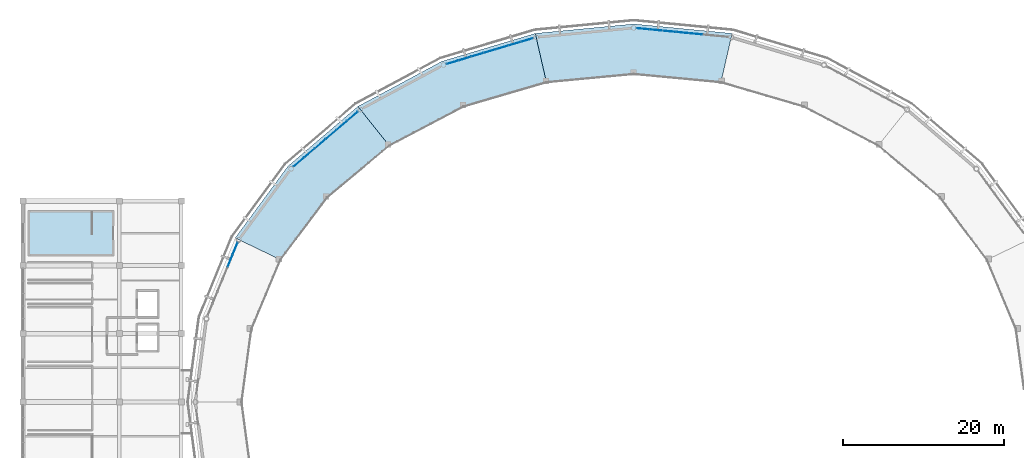
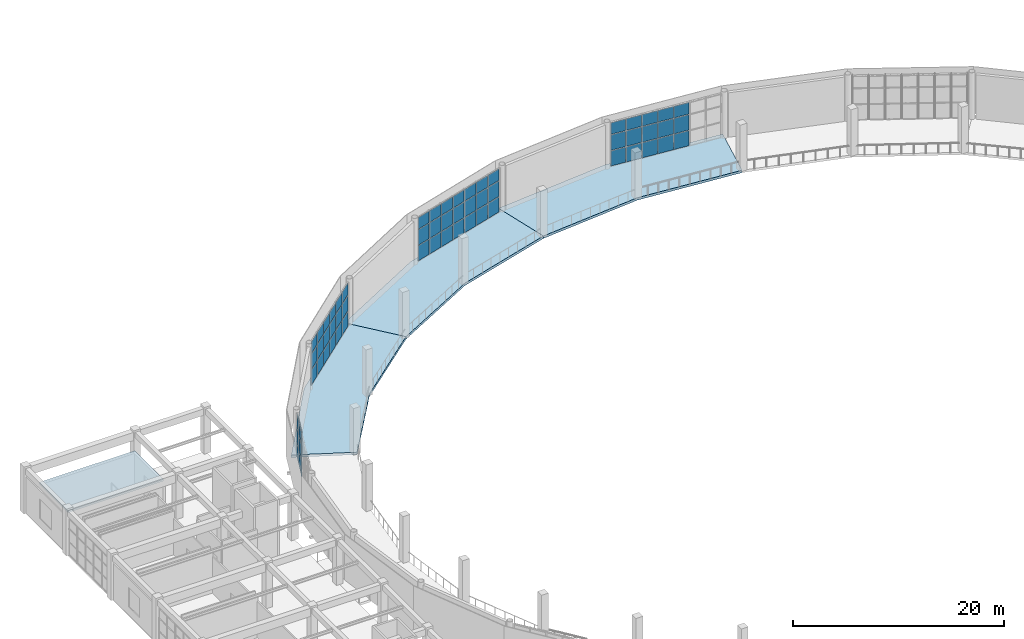
# One storey, part 27 of 40: 60 plates, 4 slabs, 4 elements without a shape of their own.
"""IFC4 building model written with IfcOpenShell, lengths in metres."""

from ifc_helpers import new_model, si_unit, direction, frame, origin, origin_2d, place, context, subcontext, project, spatial, polyline, rectangle, outline, extrude, material, layer, layer_set, type_object, element, aggregate, save


model = new_model("IFC4")

# Units and contexts
model_context = context("Model", 3, precision=1e-05, world=origin(), true_north=direction((0.0, 1.0)))
body_context = subcontext(model_context, "Body", "Model", "MODEL_VIEW")
ifc_project = project(units=[si_unit("LENGTHUNIT", "METRE"), si_unit("AREAUNIT", "SQUARE_METRE"), si_unit("VOLUMEUNIT", "CUBIC_METRE"), si_unit("PLANEANGLEUNIT", "RADIAN"), si_unit("MASSUNIT", "GRAM", prefix="KILO")], contexts=[model_context])

# Site, building, storey
site_placement = place(None, origin())
site = spatial("IfcSite", under=ifc_project, at=site_placement, CompositionType="ELEMENT")
building_placement = place(site_placement, origin())
building = spatial("IfcBuilding", under=site, at=building_placement, Name="Cuetzalor Civic Arena", CompositionType="ELEMENT")
storey_placement = place(building_placement, frame((0.0, 0.0, 26.39990234375)))
storey = spatial("IfcBuildingStorey", under=building, at=storey_placement, Name="L05", CompositionType="ELEMENT", Elevation=26.39990234375)

# Curtain wall, plates
ifc_material_1 = material(Name="Anodised dark bronze aluminium and low-E solar glass", Category="aluminium")
curtain_wall_type_1 = type_object("IfcCurtainWallType", Name="UnitisedCW_11550x5150", PredefinedType="USERDEFINED", material=ifc_material_1)
curtain_wall_1_placement = place(storey_placement, origin())
curtain_wall_1 = element("IfcCurtainWall", 1, at=curtain_wall_1_placement, inside=storey, type_object=curtain_wall_type_1, Name="Drum Triangle Foyer Curtain Wall L05-071", ObjectType="UNITISED CURTAIN WALL", PredefinedType="USERDEFINED")
ifc_material_2 = material(Name="Acoustic laminated solar control glass", Category="glass")
ifc_layer_1 = layer(ifc_material_2, 0.0439453125)
ifc_layer_set_1 = layer_set([ifc_layer_1], Name="Acoustic laminated solar control glass")
plate_type = type_object("IfcPlateType", Name="AcousticTripleGlazedPanel_44", PredefinedType="CURTAIN_PANEL", material=ifc_layer_set_1)
plate_1_placement = place(storey_placement, frame((1.153076171875, 46.439208984375, 0.0703125), z_axis=(0.0, 0.0, 1.0), x_axis=(0.995409139996, -0.095711253324, 0.0)))
plate_1 = element("IfcPlate", 2, at=plate_1_placement, type_object=plate_type, Name="CW-20 panel 1.1", PredefinedType="CURTAIN_PANEL", context=body_context, shape_type="SweptSolid", body=[
    extrude(rectangle(XDim=1.547119140625, YDim=0.0439453125, at=origin_2d()), origin(), (0.0, 0.0, 1.0), 1.743896484375),
])
plate_2_placement = place(storey_placement, frame((1.153076171875, 46.439208984375, 1.88427734375), z_axis=(0.0, 0.0, 1.0), x_axis=(0.995409139996, -0.095711253324, 0.0)))
plate_2 = element("IfcPlate", 3, at=plate_2_placement, type_object=plate_type, Name="CW-20 panel 1.2", PredefinedType="CURTAIN_PANEL", context=body_context, shape_type="SweptSolid", body=[
    extrude(rectangle(XDim=1.547119140625, YDim=0.0439453125, at=origin_2d()), origin(), (0.0, 0.0, 1.0), 1.779052734375),
])
plate_3_placement = place(storey_placement, frame((1.153076171875, 46.439208984375, 3.733154296875), z_axis=(0.0, 0.0, 1.0), x_axis=(0.995409139996, -0.095711253324, 0.0)))
plate_3 = element("IfcPlate", 4, at=plate_3_placement, type_object=plate_type, Name="CW-20 panel 1.3", PredefinedType="CURTAIN_PANEL", context=body_context, shape_type="SweptSolid", body=[
    extrude(rectangle(XDim=1.547119140625, YDim=0.0439453125, at=origin_2d()), origin(), (0.0, 0.0, 1.0), 1.3330078125),
])
plate_4_placement = place(storey_placement, frame((2.780029296875, 46.28271484375, 0.0703125), z_axis=(0.0, 0.0, 1.0), x_axis=(0.995409139996, -0.095711253324, 0.0)))
plate_4 = element("IfcPlate", 5, at=plate_4_placement, type_object=plate_type, Name="CW-20 panel 2.1", PredefinedType="CURTAIN_PANEL", context=body_context, shape_type="SweptSolid", body=[
    extrude(rectangle(XDim=1.58203125, YDim=0.0439453125, at=origin_2d()), origin(), (0.0, 0.0, 1.0), 1.743896484375),
])
plate_5_placement = place(storey_placement, frame((2.780029296875, 46.28271484375, 1.88427734375), z_axis=(0.0, 0.0, 1.0), x_axis=(0.995409139996, -0.095711253324, 0.0)))
plate_5 = element("IfcPlate", 6, at=plate_5_placement, type_object=plate_type, Name="CW-20 panel 2.2", PredefinedType="CURTAIN_PANEL", context=body_context, shape_type="SweptSolid", body=[
    extrude(rectangle(XDim=1.58203125, YDim=0.0439453125, at=origin_2d()), origin(), (0.0, 0.0, 1.0), 1.779052734375),
])
plate_6_placement = place(storey_placement, frame((2.780029296875, 46.28271484375, 3.733154296875), z_axis=(0.0, 0.0, 1.0), x_axis=(0.995409139996, -0.095711253324, 0.0)))
plate_6 = element("IfcPlate", 7, at=plate_6_placement, type_object=plate_type, Name="CW-20 panel 2.3", PredefinedType="CURTAIN_PANEL", context=body_context, shape_type="SweptSolid", body=[
    extrude(rectangle(XDim=1.58203125, YDim=0.0439453125, at=origin_2d()), origin(), (0.0, 0.0, 1.0), 1.3330078125),
])
plate_7_placement = place(storey_placement, frame((4.4248046875, 46.12451171875, 0.0703125), z_axis=(0.0, 0.0, 1.0), x_axis=(0.995409139996, -0.095711253324, 0.0)))
plate_7 = element("IfcPlate", 8, at=plate_7_placement, type_object=plate_type, Name="CW-20 panel 3.1", PredefinedType="CURTAIN_PANEL", context=body_context, shape_type="SweptSolid", body=[
    extrude(rectangle(XDim=1.58203125, YDim=0.0439453125, at=origin_2d()), origin(), (0.0, 0.0, 1.0), 1.743896484375),
])
plate_8_placement = place(storey_placement, frame((4.4248046875, 46.12451171875, 1.88427734375), z_axis=(0.0, 0.0, 1.0), x_axis=(0.995409139996, -0.095711253324, 0.0)))
plate_8 = element("IfcPlate", 9, at=plate_8_placement, type_object=plate_type, Name="CW-20 panel 3.2", PredefinedType="CURTAIN_PANEL", context=body_context, shape_type="SweptSolid", body=[
    extrude(rectangle(XDim=1.58203125, YDim=0.0439453125, at=origin_2d()), origin(), (0.0, 0.0, 1.0), 1.779052734375),
])
plate_9_placement = place(storey_placement, frame((4.4248046875, 46.12451171875, 3.733154296875), z_axis=(0.0, 0.0, 1.0), x_axis=(0.995409139996, -0.095711253324, 0.0)))
plate_9 = element("IfcPlate", 10, at=plate_9_placement, type_object=plate_type, Name="CW-20 panel 3.3", PredefinedType="CURTAIN_PANEL", context=body_context, shape_type="SweptSolid", body=[
    extrude(rectangle(XDim=1.58203125, YDim=0.0439453125, at=origin_2d()), origin(), (0.0, 0.0, 1.0), 1.3330078125),
])
plate_10_placement = place(storey_placement, frame((6.0693359375, 45.966552734375, 0.0703125), z_axis=(0.0, 0.0, 1.0), x_axis=(0.995409139996, -0.095711253324, 0.0)))
plate_10 = element("IfcPlate", 11, at=plate_10_placement, type_object=plate_type, Name="CW-20 panel 4.1", PredefinedType="CURTAIN_PANEL", context=body_context, shape_type="SweptSolid", body=[
    extrude(rectangle(XDim=1.58203125, YDim=0.0439453125, at=origin_2d()), origin(), (0.0, 0.0, 1.0), 1.743896484375),
])
plate_11_placement = place(storey_placement, frame((6.0693359375, 45.966552734375, 1.88427734375), z_axis=(0.0, 0.0, 1.0), x_axis=(0.995409139996, -0.095711253324, 0.0)))
plate_11 = element("IfcPlate", 12, at=plate_11_placement, type_object=plate_type, Name="CW-20 panel 4.2", PredefinedType="CURTAIN_PANEL", context=body_context, shape_type="SweptSolid", body=[
    extrude(rectangle(XDim=1.58203125, YDim=0.0439453125, at=origin_2d()), origin(), (0.0, 0.0, 1.0), 1.779052734375),
])
plate_12_placement = place(storey_placement, frame((6.0693359375, 45.966552734375, 3.733154296875), z_axis=(0.0, 0.0, 1.0), x_axis=(0.995409139996, -0.095711253324, 0.0)))
plate_12 = element("IfcPlate", 13, at=plate_12_placement, type_object=plate_type, Name="CW-20 panel 4.3", PredefinedType="CURTAIN_PANEL", context=body_context, shape_type="SweptSolid", body=[
    extrude(rectangle(XDim=1.58203125, YDim=0.0439453125, at=origin_2d()), origin(), (0.0, 0.0, 1.0), 1.3330078125),
])
plate_13_placement = place(storey_placement, frame((7.7138671875, 45.808349609375, 0.0703125), z_axis=(0.0, 0.0, 1.0), x_axis=(0.995409139996, -0.095711253324, 0.0)))
plate_13 = element("IfcPlate", 14, at=plate_13_placement, type_object=plate_type, Name="CW-20 panel 5.1", PredefinedType="CURTAIN_PANEL", context=body_context, shape_type="SweptSolid", body=[
    extrude(rectangle(XDim=1.58203125, YDim=0.0439453125, at=origin_2d()), origin(), (0.0, 0.0, 1.0), 1.743896484375),
])
plate_14_placement = place(storey_placement, frame((7.7138671875, 45.808349609375, 1.88427734375), z_axis=(0.0, 0.0, 1.0), x_axis=(0.995409139996, -0.095711253324, 0.0)))
plate_14 = element("IfcPlate", 15, at=plate_14_placement, type_object=plate_type, Name="CW-20 panel 5.2", PredefinedType="CURTAIN_PANEL", context=body_context, shape_type="SweptSolid", body=[
    extrude(rectangle(XDim=1.58203125, YDim=0.0439453125, at=origin_2d()), origin(), (0.0, 0.0, 1.0), 1.779052734375),
])
plate_15_placement = place(storey_placement, frame((7.7138671875, 45.808349609375, 3.733154296875), z_axis=(0.0, 0.0, 1.0), x_axis=(0.995409139996, -0.095711253324, 0.0)))
plate_15 = element("IfcPlate", 16, at=plate_15_placement, type_object=plate_type, Name="CW-20 panel 5.3", PredefinedType="CURTAIN_PANEL", context=body_context, shape_type="SweptSolid", body=[
    extrude(rectangle(XDim=1.58203125, YDim=0.0439453125, at=origin_2d()), origin(), (0.0, 0.0, 1.0), 1.3330078125),
])
aggregate(curtain_wall_1, [plate_1, plate_2, plate_3, plate_4, plate_5, plate_6, plate_7, plate_8, plate_9, plate_10, plate_11, plate_12, plate_13, plate_14, plate_15])

ifc_material_3 = material(Name="Anodised dark bronze aluminium and low-E solar glass", Category="aluminium")
curtain_wall_type_2 = type_object("IfcCurtainWallType", Name="UnitisedCW_11300x5150", PredefinedType="USERDEFINED", material=ifc_material_3)
curtain_wall_2_placement = place(storey_placement, origin())
curtain_wall_2 = element("IfcCurtainWall", 17, at=curtain_wall_2_placement, inside=storey, type_object=curtain_wall_type_2, Name="Drum Triangle Foyer Curtain Wall L05-072", ObjectType="UNITISED CURTAIN WALL", PredefinedType="USERDEFINED")
plate_16_placement = place(storey_placement, frame((-22.53125, 42.279541015625, 0.0703125), z_axis=(0.0, 0.0, 1.0), x_axis=(0.958193690548, 0.286120344251, 0.0)))
plate_16 = element("IfcPlate", 18, at=plate_16_placement, type_object=plate_type, Name="CW-21 panel 1.1", PredefinedType="CURTAIN_PANEL", context=body_context, shape_type="SweptSolid", body=[
    extrude(rectangle(XDim=1.5107421875, YDim=0.0439453125, at=origin_2d()), origin(), (0.0, 0.0, 1.0), 1.743896484375),
])
plate_17_placement = place(storey_placement, frame((-22.53125, 42.279541015625, 1.88427734375), z_axis=(0.0, 0.0, 1.0), x_axis=(0.958193690548, 0.286120344251, 0.0)))
plate_17 = element("IfcPlate", 19, at=plate_17_placement, type_object=plate_type, Name="CW-21 panel 1.2", PredefinedType="CURTAIN_PANEL", context=body_context, shape_type="SweptSolid", body=[
    extrude(rectangle(XDim=1.5107421875, YDim=0.0439453125, at=origin_2d()), origin(), (0.0, 0.0, 1.0), 1.779052734375),
])
plate_18_placement = place(storey_placement, frame((-22.53125, 42.279541015625, 3.733154296875), z_axis=(0.0, 0.0, 1.0), x_axis=(0.958193690548, 0.286120344251, 0.0)))
plate_18 = element("IfcPlate", 20, at=plate_18_placement, type_object=plate_type, Name="CW-21 panel 1.3", PredefinedType="CURTAIN_PANEL", context=body_context, shape_type="SweptSolid", body=[
    extrude(rectangle(XDim=1.5107421875, YDim=0.0439453125, at=origin_2d()), origin(), (0.0, 0.0, 1.0), 1.3330078125),
])
plate_19_placement = place(storey_placement, frame((-20.999755859375, 42.73681640625, 0.0703125), z_axis=(0.0, 0.0, 1.0), x_axis=(0.958193690548, 0.286120344251, 0.0)))
plate_19 = element("IfcPlate", 21, at=plate_19_placement, type_object=plate_type, Name="CW-21 panel 2.1", PredefinedType="CURTAIN_PANEL", context=body_context, shape_type="SweptSolid", body=[
    extrude(rectangle(XDim=1.545654296875, YDim=0.0439453125, at=origin_2d()), origin(), (0.0, 0.0, 1.0), 1.743896484375),
])
plate_20_placement = place(storey_placement, frame((-20.999755859375, 42.73681640625, 1.88427734375), z_axis=(0.0, 0.0, 1.0), x_axis=(0.958193690548, 0.286120344251, 0.0)))
plate_20 = element("IfcPlate", 22, at=plate_20_placement, type_object=plate_type, Name="CW-21 panel 2.2", PredefinedType="CURTAIN_PANEL", context=body_context, shape_type="SweptSolid", body=[
    extrude(rectangle(XDim=1.545654296875, YDim=0.0439453125, at=origin_2d()), origin(), (0.0, 0.0, 1.0), 1.779052734375),
])
plate_21_placement = place(storey_placement, frame((-20.999755859375, 42.73681640625, 3.733154296875), z_axis=(0.0, 0.0, 1.0), x_axis=(0.958193690548, 0.286120344251, 0.0)))
plate_21 = element("IfcPlate", 23, at=plate_21_placement, type_object=plate_type, Name="CW-21 panel 2.3", PredefinedType="CURTAIN_PANEL", context=body_context, shape_type="SweptSolid", body=[
    extrude(rectangle(XDim=1.545654296875, YDim=0.0439453125, at=origin_2d()), origin(), (0.0, 0.0, 1.0), 1.3330078125),
])
plate_22_placement = place(storey_placement, frame((-19.45166015625, 43.19921875, 0.0703125), z_axis=(0.0, 0.0, 1.0), x_axis=(0.958193690548, 0.286120344251, 0.0)))
plate_22 = element("IfcPlate", 24, at=plate_22_placement, type_object=plate_type, Name="CW-21 panel 3.1", PredefinedType="CURTAIN_PANEL", context=body_context, shape_type="SweptSolid", body=[
    extrude(rectangle(XDim=1.545654296875, YDim=0.0439453125, at=origin_2d()), origin(), (0.0, 0.0, 1.0), 1.743896484375),
])
plate_23_placement = place(storey_placement, frame((-19.45166015625, 43.19921875, 1.88427734375), z_axis=(0.0, 0.0, 1.0), x_axis=(0.958193690548, 0.286120344251, 0.0)))
plate_23 = element("IfcPlate", 25, at=plate_23_placement, type_object=plate_type, Name="CW-21 panel 3.2", PredefinedType="CURTAIN_PANEL", context=body_context, shape_type="SweptSolid", body=[
    extrude(rectangle(XDim=1.545654296875, YDim=0.0439453125, at=origin_2d()), origin(), (0.0, 0.0, 1.0), 1.779052734375),
])
plate_24_placement = place(storey_placement, frame((-19.45166015625, 43.19921875, 3.733154296875), z_axis=(0.0, 0.0, 1.0), x_axis=(0.958193690548, 0.286120344251, 0.0)))
plate_24 = element("IfcPlate", 26, at=plate_24_placement, type_object=plate_type, Name="CW-21 panel 3.3", PredefinedType="CURTAIN_PANEL", context=body_context, shape_type="SweptSolid", body=[
    extrude(rectangle(XDim=1.545654296875, YDim=0.0439453125, at=origin_2d()), origin(), (0.0, 0.0, 1.0), 1.3330078125),
])
plate_25_placement = place(storey_placement, frame((-17.903564453125, 43.66162109375, 0.0703125), z_axis=(0.0, 0.0, 1.0), x_axis=(0.958193690548, 0.286120344251, 0.0)))
plate_25 = element("IfcPlate", 27, at=plate_25_placement, type_object=plate_type, Name="CW-21 panel 4.1", PredefinedType="CURTAIN_PANEL", context=body_context, shape_type="SweptSolid", body=[
    extrude(rectangle(XDim=1.545654296875, YDim=0.0439453125, at=origin_2d()), origin(), (0.0, 0.0, 1.0), 1.743896484375),
])
plate_26_placement = place(storey_placement, frame((-17.903564453125, 43.66162109375, 1.88427734375), z_axis=(0.0, 0.0, 1.0), x_axis=(0.958193690548, 0.286120344251, 0.0)))
plate_26 = element("IfcPlate", 28, at=plate_26_placement, type_object=plate_type, Name="CW-21 panel 4.2", PredefinedType="CURTAIN_PANEL", context=body_context, shape_type="SweptSolid", body=[
    extrude(rectangle(XDim=1.545654296875, YDim=0.0439453125, at=origin_2d()), origin(), (0.0, 0.0, 1.0), 1.779052734375),
])
plate_27_placement = place(storey_placement, frame((-17.903564453125, 43.66162109375, 3.733154296875), z_axis=(0.0, 0.0, 1.0), x_axis=(0.958193690548, 0.286120344251, 0.0)))
plate_27 = element("IfcPlate", 29, at=plate_27_placement, type_object=plate_type, Name="CW-21 panel 4.3", PredefinedType="CURTAIN_PANEL", context=body_context, shape_type="SweptSolid", body=[
    extrude(rectangle(XDim=1.545654296875, YDim=0.0439453125, at=origin_2d()), origin(), (0.0, 0.0, 1.0), 1.3330078125),
])
plate_28_placement = place(storey_placement, frame((-16.355224609375, 44.123779296875, 0.0703125), z_axis=(0.0, 0.0, 1.0), x_axis=(0.958193690548, 0.286120344251, 0.0)))
plate_28 = element("IfcPlate", 30, at=plate_28_placement, type_object=plate_type, Name="CW-21 panel 5.1", PredefinedType="CURTAIN_PANEL", context=body_context, shape_type="SweptSolid", body=[
    extrude(rectangle(XDim=1.545654296875, YDim=0.0439453125, at=origin_2d()), origin(), (0.0, 0.0, 1.0), 1.743896484375),
])
plate_29_placement = place(storey_placement, frame((-16.355224609375, 44.123779296875, 1.88427734375), z_axis=(0.0, 0.0, 1.0), x_axis=(0.958193690548, 0.286120344251, 0.0)))
plate_29 = element("IfcPlate", 31, at=plate_29_placement, type_object=plate_type, Name="CW-21 panel 5.2", PredefinedType="CURTAIN_PANEL", context=body_context, shape_type="SweptSolid", body=[
    extrude(rectangle(XDim=1.545654296875, YDim=0.0439453125, at=origin_2d()), origin(), (0.0, 0.0, 1.0), 1.779052734375),
])
plate_30_placement = place(storey_placement, frame((-16.355224609375, 44.123779296875, 3.733154296875), z_axis=(0.0, 0.0, 1.0), x_axis=(0.958193690548, 0.286120344251, 0.0)))
plate_30 = element("IfcPlate", 32, at=plate_30_placement, type_object=plate_type, Name="CW-21 panel 5.3", PredefinedType="CURTAIN_PANEL", context=body_context, shape_type="SweptSolid", body=[
    extrude(rectangle(XDim=1.545654296875, YDim=0.0439453125, at=origin_2d()), origin(), (0.0, 0.0, 1.0), 1.3330078125),
])
plate_31_placement = place(storey_placement, frame((-14.80712890625, 44.586181640625, 0.0703125), z_axis=(0.0, 0.0, 1.0), x_axis=(0.958193690548, 0.286120344251, 0.0)))
plate_31 = element("IfcPlate", 33, at=plate_31_placement, type_object=plate_type, Name="CW-21 panel 6.1", PredefinedType="CURTAIN_PANEL", context=body_context, shape_type="SweptSolid", body=[
    extrude(rectangle(XDim=1.545654296875, YDim=0.0439453125, at=origin_2d()), origin(), (0.0, 0.0, 1.0), 1.743896484375),
])
plate_32_placement = place(storey_placement, frame((-14.80712890625, 44.586181640625, 1.88427734375), z_axis=(0.0, 0.0, 1.0), x_axis=(0.958193690548, 0.286120344251, 0.0)))
plate_32 = element("IfcPlate", 34, at=plate_32_placement, type_object=plate_type, Name="CW-21 panel 6.2", PredefinedType="CURTAIN_PANEL", context=body_context, shape_type="SweptSolid", body=[
    extrude(rectangle(XDim=1.545654296875, YDim=0.0439453125, at=origin_2d()), origin(), (0.0, 0.0, 1.0), 1.779052734375),
])
plate_33_placement = place(storey_placement, frame((-14.80712890625, 44.586181640625, 3.733154296875), z_axis=(0.0, 0.0, 1.0), x_axis=(0.958193690548, 0.286120344251, 0.0)))
plate_33 = element("IfcPlate", 35, at=plate_33_placement, type_object=plate_type, Name="CW-21 panel 6.3", PredefinedType="CURTAIN_PANEL", context=body_context, shape_type="SweptSolid", body=[
    extrude(rectangle(XDim=1.545654296875, YDim=0.0439453125, at=origin_2d()), origin(), (0.0, 0.0, 1.0), 1.3330078125),
])
plate_34_placement = place(storey_placement, frame((-13.275634765625, 45.04345703125, 0.0703125), z_axis=(0.0, 0.0, 1.0), x_axis=(0.958193690548, 0.286120344251, 0.0)))
plate_34 = element("IfcPlate", 36, at=plate_34_placement, type_object=plate_type, Name="CW-21 panel 7.1", PredefinedType="CURTAIN_PANEL", context=body_context, shape_type="SweptSolid", body=[
    extrude(rectangle(XDim=1.5107421875, YDim=0.0439453125, at=origin_2d()), origin(), (0.0, 0.0, 1.0), 1.743896484375),
])
plate_35_placement = place(storey_placement, frame((-13.275634765625, 45.04345703125, 1.88427734375), z_axis=(0.0, 0.0, 1.0), x_axis=(0.958193690548, 0.286120344251, 0.0)))
plate_35 = element("IfcPlate", 37, at=plate_35_placement, type_object=plate_type, Name="CW-21 panel 7.2", PredefinedType="CURTAIN_PANEL", context=body_context, shape_type="SweptSolid", body=[
    extrude(rectangle(XDim=1.5107421875, YDim=0.0439453125, at=origin_2d()), origin(), (0.0, 0.0, 1.0), 1.779052734375),
])
plate_36_placement = place(storey_placement, frame((-13.275634765625, 45.04345703125, 3.733154296875), z_axis=(0.0, 0.0, 1.0), x_axis=(0.958193690548, 0.286120344251, 0.0)))
plate_36 = element("IfcPlate", 38, at=plate_36_placement, type_object=plate_type, Name="CW-21 panel 7.3", PredefinedType="CURTAIN_PANEL", context=body_context, shape_type="SweptSolid", body=[
    extrude(rectangle(XDim=1.5107421875, YDim=0.0439453125, at=origin_2d()), origin(), (0.0, 0.0, 1.0), 1.3330078125),
])
aggregate(curtain_wall_2, [plate_16, plate_17, plate_18, plate_19, plate_20, plate_21, plate_22, plate_23, plate_24, plate_25, plate_26, plate_27, plate_28, plate_29, plate_30, plate_31, plate_32, plate_33, plate_34, plate_35, plate_36])

ifc_material_4 = material(Name="Anodised dark bronze aluminium and low-E solar glass", Category="aluminium")
curtain_wall_type_3 = type_object("IfcCurtainWallType", Name="UnitisedCW_10550x5150", PredefinedType="USERDEFINED", material=ifc_material_4)
curtain_wall_3_placement = place(storey_placement, origin())
curtain_wall_3 = element("IfcCurtainWall", 39, at=curtain_wall_3_placement, inside=storey, type_object=curtain_wall_type_3, Name="Drum Triangle Foyer Curtain Wall L05-073", ObjectType="UNITISED CURTAIN WALL", PredefinedType="USERDEFINED")
plate_37_placement = place(storey_placement, frame((-41.654541015625, 29.871826171875, 0.0703125), z_axis=(0.0, 0.0, 1.0), x_axis=(0.760677142663, 0.64913040649, 0.0)))
plate_37 = element("IfcPlate", 40, at=plate_37_placement, type_object=plate_type, Name="CW-22 panel 1.1", PredefinedType="CURTAIN_PANEL", context=body_context, shape_type="SweptSolid", body=[
    extrude(rectangle(XDim=1.650146484375, YDim=0.0439453125, at=origin_2d()), origin(), (0.0, 0.0, 1.0), 1.743896484375),
])
plate_38_placement = place(storey_placement, frame((-41.654541015625, 29.871826171875, 1.88427734375), z_axis=(0.0, 0.0, 1.0), x_axis=(0.760677142663, 0.64913040649, 0.0)))
plate_38 = element("IfcPlate", 41, at=plate_38_placement, type_object=plate_type, Name="CW-22 panel 1.2", PredefinedType="CURTAIN_PANEL", context=body_context, shape_type="SweptSolid", body=[
    extrude(rectangle(XDim=1.650146484375, YDim=0.0439453125, at=origin_2d()), origin(), (0.0, 0.0, 1.0), 1.779052734375),
])
plate_39_placement = place(storey_placement, frame((-41.654541015625, 29.871826171875, 3.733154296875), z_axis=(0.0, 0.0, 1.0), x_axis=(0.760677142663, 0.64913040649, 0.0)))
plate_39 = element("IfcPlate", 42, at=plate_39_placement, type_object=plate_type, Name="CW-22 panel 1.3", PredefinedType="CURTAIN_PANEL", context=body_context, shape_type="SweptSolid", body=[
    extrude(rectangle(XDim=1.650146484375, YDim=0.0439453125, at=origin_2d()), origin(), (0.0, 0.0, 1.0), 1.3330078125),
])
plate_40_placement = place(storey_placement, frame((-40.332763671875, 31.0, 0.0703125), z_axis=(0.0, 0.0, 1.0), x_axis=(0.760677142663, 0.64913040649, 0.0)))
plate_40 = element("IfcPlate", 43, at=plate_40_placement, type_object=plate_type, Name="CW-22 panel 2.1", PredefinedType="CURTAIN_PANEL", context=body_context, shape_type="SweptSolid", body=[
    extrude(rectangle(XDim=1.68505859375, YDim=0.0439453125, at=origin_2d()), origin(), (0.0, 0.0, 1.0), 1.743896484375),
])
plate_41_placement = place(storey_placement, frame((-40.332763671875, 31.0, 1.88427734375), z_axis=(0.0, 0.0, 1.0), x_axis=(0.760677142663, 0.64913040649, 0.0)))
plate_41 = element("IfcPlate", 44, at=plate_41_placement, type_object=plate_type, Name="CW-22 panel 2.2", PredefinedType="CURTAIN_PANEL", context=body_context, shape_type="SweptSolid", body=[
    extrude(rectangle(XDim=1.68505859375, YDim=0.0439453125, at=origin_2d()), origin(), (0.0, 0.0, 1.0), 1.779052734375),
])
plate_42_placement = place(storey_placement, frame((-40.332763671875, 31.0, 3.733154296875), z_axis=(0.0, 0.0, 1.0), x_axis=(0.760677142663, 0.64913040649, 0.0)))
plate_42 = element("IfcPlate", 45, at=plate_42_placement, type_object=plate_type, Name="CW-22 panel 2.3", PredefinedType="CURTAIN_PANEL", context=body_context, shape_type="SweptSolid", body=[
    extrude(rectangle(XDim=1.68505859375, YDim=0.0439453125, at=origin_2d()), origin(), (0.0, 0.0, 1.0), 1.3330078125),
])
plate_43_placement = place(storey_placement, frame((-38.997802734375, 32.13916015625, 0.0703125), z_axis=(0.0, 0.0, 1.0), x_axis=(0.760677142663, 0.64913040649, 0.0)))
plate_43 = element("IfcPlate", 46, at=plate_43_placement, type_object=plate_type, Name="CW-22 panel 3.1", PredefinedType="CURTAIN_PANEL", context=body_context, shape_type="SweptSolid", body=[
    extrude(rectangle(XDim=1.68505859375, YDim=0.0439453125, at=origin_2d()), origin(), (0.0, 0.0, 1.0), 1.743896484375),
])
plate_44_placement = place(storey_placement, frame((-38.997802734375, 32.13916015625, 1.88427734375), z_axis=(0.0, 0.0, 1.0), x_axis=(0.760677142663, 0.64913040649, 0.0)))
plate_44 = element("IfcPlate", 47, at=plate_44_placement, type_object=plate_type, Name="CW-22 panel 3.2", PredefinedType="CURTAIN_PANEL", context=body_context, shape_type="SweptSolid", body=[
    extrude(rectangle(XDim=1.68505859375, YDim=0.0439453125, at=origin_2d()), origin(), (0.0, 0.0, 1.0), 1.779052734375),
])
plate_45_placement = place(storey_placement, frame((-38.997802734375, 32.13916015625, 3.733154296875), z_axis=(0.0, 0.0, 1.0), x_axis=(0.760677142663, 0.64913040649, 0.0)))
plate_45 = element("IfcPlate", 48, at=plate_45_placement, type_object=plate_type, Name="CW-22 panel 3.3", PredefinedType="CURTAIN_PANEL", context=body_context, shape_type="SweptSolid", body=[
    extrude(rectangle(XDim=1.68505859375, YDim=0.0439453125, at=origin_2d()), origin(), (0.0, 0.0, 1.0), 1.3330078125),
])
plate_46_placement = place(storey_placement, frame((-37.66259765625, 33.278564453125, 0.0703125), z_axis=(0.0, 0.0, 1.0), x_axis=(0.760677142663, 0.64913040649, 0.0)))
plate_46 = element("IfcPlate", 49, at=plate_46_placement, type_object=plate_type, Name="CW-22 panel 4.1", PredefinedType="CURTAIN_PANEL", context=body_context, shape_type="SweptSolid", body=[
    extrude(rectangle(XDim=1.68505859375, YDim=0.0439453125, at=origin_2d()), origin(), (0.0, 0.0, 1.0), 1.743896484375),
])
plate_47_placement = place(storey_placement, frame((-37.66259765625, 33.278564453125, 1.88427734375), z_axis=(0.0, 0.0, 1.0), x_axis=(0.760677142663, 0.64913040649, 0.0)))
plate_47 = element("IfcPlate", 50, at=plate_47_placement, type_object=plate_type, Name="CW-22 panel 4.2", PredefinedType="CURTAIN_PANEL", context=body_context, shape_type="SweptSolid", body=[
    extrude(rectangle(XDim=1.68505859375, YDim=0.0439453125, at=origin_2d()), origin(), (0.0, 0.0, 1.0), 1.779052734375),
])
plate_48_placement = place(storey_placement, frame((-37.66259765625, 33.278564453125, 3.733154296875), z_axis=(0.0, 0.0, 1.0), x_axis=(0.760677142663, 0.64913040649, 0.0)))
plate_48 = element("IfcPlate", 51, at=plate_48_placement, type_object=plate_type, Name="CW-22 panel 4.3", PredefinedType="CURTAIN_PANEL", context=body_context, shape_type="SweptSolid", body=[
    extrude(rectangle(XDim=1.68505859375, YDim=0.0439453125, at=origin_2d()), origin(), (0.0, 0.0, 1.0), 1.3330078125),
])
plate_49_placement = place(storey_placement, frame((-36.327392578125, 34.41796875, 0.0703125), z_axis=(0.0, 0.0, 1.0), x_axis=(0.760677142663, 0.64913040649, 0.0)))
plate_49 = element("IfcPlate", 52, at=plate_49_placement, type_object=plate_type, Name="CW-22 panel 5.1", PredefinedType="CURTAIN_PANEL", context=body_context, shape_type="SweptSolid", body=[
    extrude(rectangle(XDim=1.68505859375, YDim=0.0439453125, at=origin_2d()), origin(), (0.0, 0.0, 1.0), 1.743896484375),
])
plate_50_placement = place(storey_placement, frame((-36.327392578125, 34.41796875, 1.88427734375), z_axis=(0.0, 0.0, 1.0), x_axis=(0.760677142663, 0.64913040649, 0.0)))
plate_50 = element("IfcPlate", 53, at=plate_50_placement, type_object=plate_type, Name="CW-22 panel 5.2", PredefinedType="CURTAIN_PANEL", context=body_context, shape_type="SweptSolid", body=[
    extrude(rectangle(XDim=1.68505859375, YDim=0.0439453125, at=origin_2d()), origin(), (0.0, 0.0, 1.0), 1.779052734375),
])
plate_51_placement = place(storey_placement, frame((-36.327392578125, 34.41796875, 3.733154296875), z_axis=(0.0, 0.0, 1.0), x_axis=(0.760677142663, 0.64913040649, 0.0)))
plate_51 = element("IfcPlate", 54, at=plate_51_placement, type_object=plate_type, Name="CW-22 panel 5.3", PredefinedType="CURTAIN_PANEL", context=body_context, shape_type="SweptSolid", body=[
    extrude(rectangle(XDim=1.68505859375, YDim=0.0439453125, at=origin_2d()), origin(), (0.0, 0.0, 1.0), 1.3330078125),
])
plate_52_placement = place(storey_placement, frame((-35.005615234375, 35.5458984375, 0.0703125), z_axis=(0.0, 0.0, 1.0), x_axis=(0.760677142663, 0.64913040649, 0.0)))
plate_52 = element("IfcPlate", 55, at=plate_52_placement, type_object=plate_type, Name="CW-22 panel 6.1", PredefinedType="CURTAIN_PANEL", context=body_context, shape_type="SweptSolid", body=[
    extrude(rectangle(XDim=1.650146484375, YDim=0.0439453125, at=origin_2d()), origin(), (0.0, 0.0, 1.0), 1.743896484375),
])
plate_53_placement = place(storey_placement, frame((-35.005615234375, 35.5458984375, 1.88427734375), z_axis=(0.0, 0.0, 1.0), x_axis=(0.760677142663, 0.64913040649, 0.0)))
plate_53 = element("IfcPlate", 56, at=plate_53_placement, type_object=plate_type, Name="CW-22 panel 6.2", PredefinedType="CURTAIN_PANEL", context=body_context, shape_type="SweptSolid", body=[
    extrude(rectangle(XDim=1.650146484375, YDim=0.0439453125, at=origin_2d()), origin(), (0.0, 0.0, 1.0), 1.779052734375),
])
plate_54_placement = place(storey_placement, frame((-35.005615234375, 35.5458984375, 3.733154296875), z_axis=(0.0, 0.0, 1.0), x_axis=(0.760677142663, 0.64913040649, 0.0)))
plate_54 = element("IfcPlate", 57, at=plate_54_placement, type_object=plate_type, Name="CW-22 panel 6.3", PredefinedType="CURTAIN_PANEL", context=body_context, shape_type="SweptSolid", body=[
    extrude(rectangle(XDim=1.650146484375, YDim=0.0439453125, at=origin_2d()), origin(), (0.0, 0.0, 1.0), 1.3330078125),
])
aggregate(curtain_wall_3, [plate_37, plate_38, plate_39, plate_40, plate_41, plate_42, plate_43, plate_44, plate_45, plate_46, plate_47, plate_48, plate_49, plate_50, plate_51, plate_52, plate_53, plate_54])

ifc_material_5 = material(Name="Anodised dark bronze aluminium and low-E solar glass", Category="aluminium")
curtain_wall_type_4 = type_object("IfcCurtainWallType", Name="UnitisedCW_9850x5150", PredefinedType="USERDEFINED", material=ifc_material_5)
curtain_wall_4_placement = place(storey_placement, origin())
curtain_wall_4 = element("IfcCurtainWall", 58, at=curtain_wall_4_placement, inside=storey, type_object=curtain_wall_type_4, Name="Drum Triangle Foyer Curtain Wall L05-074", ObjectType="UNITISED CURTAIN WALL", PredefinedType="USERDEFINED")
plate_55_placement = place(storey_placement, frame((-50.228515625, 17.561767578125, 0.0703125), z_axis=(0.0, 0.0, 1.0), x_axis=(0.379391428583, 0.925236263836, 0.0)))
plate_55 = element("IfcPlate", 59, at=plate_55_placement, type_object=plate_type, Name="CW-23 panel 5.1", PredefinedType="CURTAIN_PANEL", context=body_context, shape_type="SweptSolid", body=[
    extrude(rectangle(XDim=1.57568359375, YDim=0.0439453125, at=origin_2d()), origin(), (0.0, 0.0, 1.0), 1.743896484375),
])
plate_56_placement = place(storey_placement, frame((-50.228515625, 17.561767578125, 1.88427734375), z_axis=(0.0, 0.0, 1.0), x_axis=(0.379391428583, 0.925236263836, 0.0)))
plate_56 = element("IfcPlate", 60, at=plate_56_placement, type_object=plate_type, Name="CW-23 panel 5.2", PredefinedType="CURTAIN_PANEL", context=body_context, shape_type="SweptSolid", body=[
    extrude(rectangle(XDim=1.57568359375, YDim=0.0439453125, at=origin_2d()), origin(), (0.0, 0.0, 1.0), 1.779052734375),
])
plate_57_placement = place(storey_placement, frame((-50.228515625, 17.561767578125, 3.733154296875), z_axis=(0.0, 0.0, 1.0), x_axis=(0.379391428583, 0.925236263836, 0.0)))
plate_57 = element("IfcPlate", 61, at=plate_57_placement, type_object=plate_type, Name="CW-23 panel 5.3", PredefinedType="CURTAIN_PANEL", context=body_context, shape_type="SweptSolid", body=[
    extrude(rectangle(XDim=1.57568359375, YDim=0.0439453125, at=origin_2d()), origin(), (0.0, 0.0, 1.0), 1.3330078125),
])
plate_58_placement = place(storey_placement, frame((-49.61083984375, 19.068359375, 0.0703125), z_axis=(0.0, 0.0, 1.0), x_axis=(0.379391428583, 0.925236263836, 0.0)))
plate_58 = element("IfcPlate", 62, at=plate_58_placement, type_object=plate_type, Name="CW-23 panel 6.1", PredefinedType="CURTAIN_PANEL", context=body_context, shape_type="SweptSolid", body=[
    extrude(rectangle(XDim=1.540771484375, YDim=0.0439453125, at=origin_2d()), origin(), (0.0, 0.0, 1.0), 1.743896484375),
])
plate_59_placement = place(storey_placement, frame((-49.61083984375, 19.068359375, 1.88427734375), z_axis=(0.0, 0.0, 1.0), x_axis=(0.379391428583, 0.925236263836, 0.0)))
plate_59 = element("IfcPlate", 63, at=plate_59_placement, type_object=plate_type, Name="CW-23 panel 6.2", PredefinedType="CURTAIN_PANEL", context=body_context, shape_type="SweptSolid", body=[
    extrude(rectangle(XDim=1.540771484375, YDim=0.0439453125, at=origin_2d()), origin(), (0.0, 0.0, 1.0), 1.779052734375),
])
plate_60_placement = place(storey_placement, frame((-49.61083984375, 19.068359375, 3.733154296875), z_axis=(0.0, 0.0, 1.0), x_axis=(0.379391428583, 0.925236263836, 0.0)))
plate_60 = element("IfcPlate", 64, at=plate_60_placement, type_object=plate_type, Name="CW-23 panel 6.3", PredefinedType="CURTAIN_PANEL", context=body_context, shape_type="SweptSolid", body=[
    extrude(rectangle(XDim=1.540771484375, YDim=0.0439453125, at=origin_2d()), origin(), (0.0, 0.0, 1.0), 1.3330078125),
])
aggregate(curtain_wall_4, [plate_55, plate_56, plate_57, plate_58, plate_59, plate_60])

# Slabs
ifc_material_6 = material(Name="Concrete C40/50", Category="concrete")
ifc_layer_2 = layer(ifc_material_6, 0.219970703125)
ifc_layer_set_2 = layer_set([ifc_layer_2], Name="Concrete C40/50")
slab_type_1 = type_object("IfcSlabType", Name="LiftShaftRoofCapSlab_220", PredefinedType="ROOF", material=ifc_layer_set_2)
slab_1_placement = place(storey_placement, frame((0.0, 0.0, 3.60009765625)))
element("IfcSlab", 65, at=slab_1_placement, inside=storey, type_object=slab_type_1, Name="Stair Core Enclosure Cap Slab ST-17", PredefinedType="ROOF", context=body_context, shape_type="SweptSolid", body=[
    extrude(outline(polyline([(-75.219970703125, 18.280029296875), (-64.780029296875, 18.280029296875), (-64.780029296875, 23.719970703125), (-75.219970703125, 23.719970703125), (-75.219970703125, 18.280029296875)])), origin(), (0.0, 0.0, 1.0), 0.219970703125),
])
ifc_material_7 = material(Name="Concrete C35/45", Category="concrete")
ifc_layer_3 = layer(ifc_material_7, 0.280029296875)
ifc_layer_set_3 = layer_set([ifc_layer_3], Name="Concrete C35/45")
slab_type_2 = type_object("IfcSlabType", Name="SuspendedFloorSlab_280", PredefinedType="FLOOR", material=ifc_layer_set_3)
slab_2_placement = place(storey_placement, frame((0.0, 0.0, -0.27978515625)))
element("IfcSlab", 66, at=slab_2_placement, inside=storey, type_object=slab_type_2, Name="Arena Concourse Sector Slab L05-04", PredefinedType="FLOOR", context=body_context, shape_type="SweptSolid", body=[
    extrude(outline(polyline([(10.85888671875, 39.777099609375), (0.0, 40.800048828125), (-10.85888671875, 39.777099609375), (-12.249755859375, 45.870361328125), (0.0, 47.050048828125), (12.249755859375, 45.870361328125), (10.85888671875, 39.777099609375)])), origin(), (0.0, 0.0, 1.0), 0.27978515625),
])
slab_3_placement = place(storey_placement, frame((0.0, 0.0, -0.27978515625)))
element("IfcSlab", 67, at=slab_3_placement, inside=storey, type_object=slab_type_2, Name="Arena Concourse Sector Slab L05-05", PredefinedType="FLOOR", context=body_context, shape_type="SweptSolid", body=[
    extrude(outline(polyline([(-10.85888671875, 39.777099609375), (-21.173583984375, 36.759521484375), (-30.42626953125, 31.898681640625), (-34.322998046875, 36.78515625), (-23.88525390625, 42.390625), (-12.249755859375, 45.870361328125), (-10.85888671875, 39.777099609375)])), origin(), (0.0, 0.0, 1.0), 0.27978515625),
])
slab_4_placement = place(storey_placement, frame((0.0, 0.0, -0.27978515625)))
element("IfcSlab", 68, at=slab_4_placement, inside=storey, type_object=slab_type_2, Name="Arena Concourse Sector Slab L05-06", PredefinedType="FLOOR", context=body_context, shape_type="SweptSolid", body=[
    extrude(outline(polyline([(-30.42626953125, 31.898681640625), (-38.1533203125, 25.4384765625), (-43.96728515625, 17.702392578125), (-49.598388671875, 20.414306640625), (-43.039794921875, 29.335205078125), (-34.322998046875, 36.78515625), (-30.42626953125, 31.898681640625)])), origin(), (0.0, 0.0, 1.0), 0.27978515625),
])

save(model, "model.ifc")
